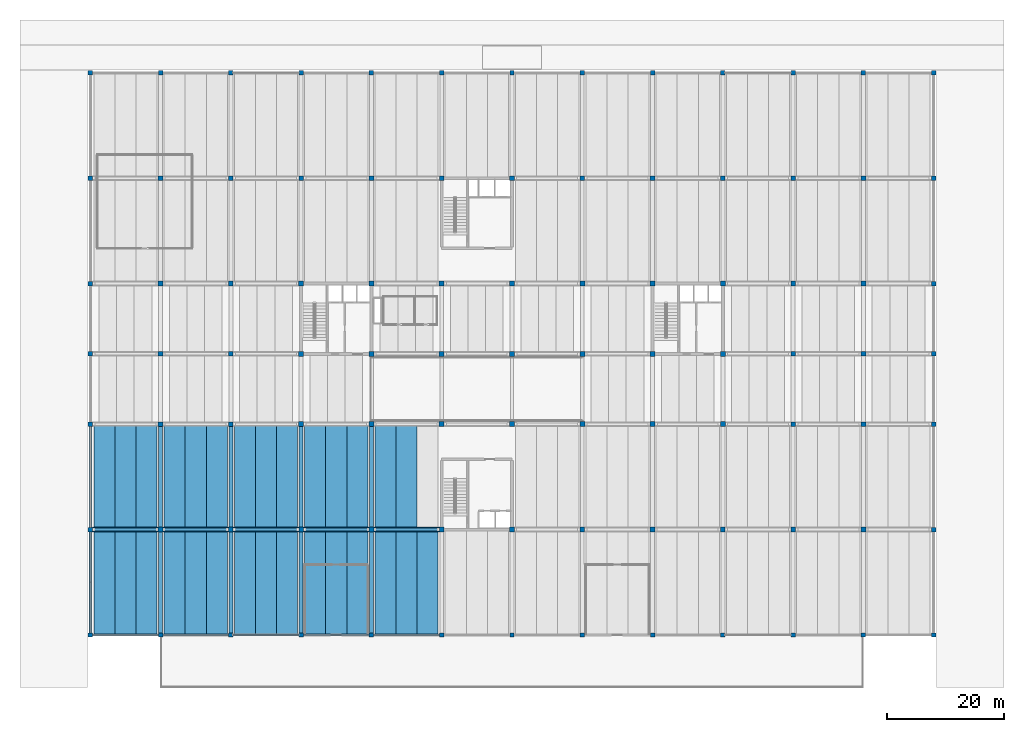
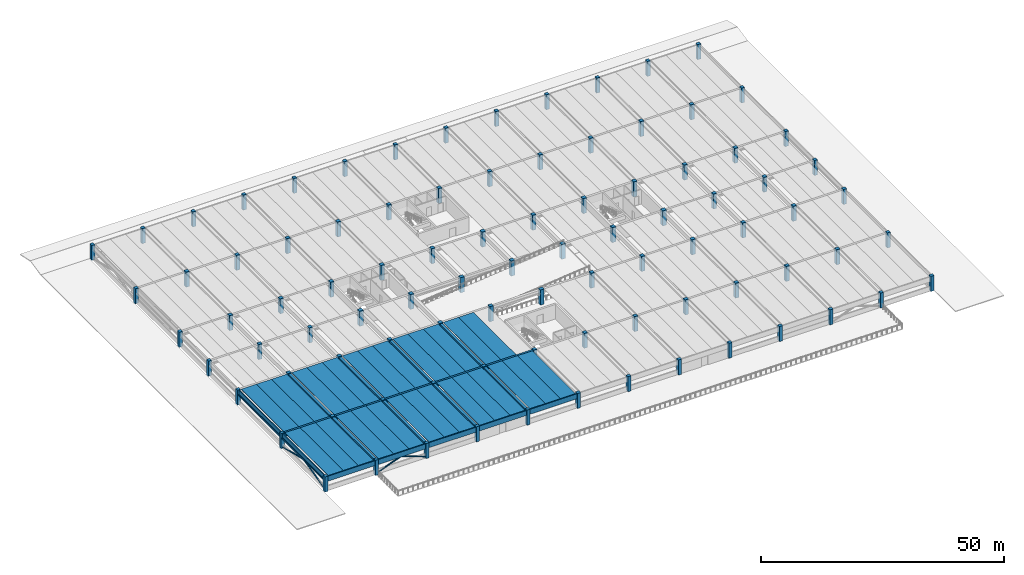
# One storey, part 1 of 16: 91 columns, 49 beams, 4 members.
"""IFC4 building model written with IfcOpenShell, lengths in metres."""

from ifc_helpers import new_model, si_unit, direction, frame, origin, origin_2d, place, context, subcontext, project, spatial, polyline, rectangle, hollow_rectangle, outline, extrude, material, material_profile, profile_set, type_object, element, save


model = new_model("IFC4")

# Units and contexts
model_context = context("Model", 3, precision=1e-05, world=origin(), true_north=direction((0.0, 1.0)))
body_context = subcontext(model_context, "Body", "Model", "MODEL_VIEW")
ifc_project = project(units=[si_unit("LENGTHUNIT", "METRE"), si_unit("AREAUNIT", "SQUARE_METRE"), si_unit("VOLUMEUNIT", "CUBIC_METRE"), si_unit("PLANEANGLEUNIT", "RADIAN"), si_unit("MASSUNIT", "GRAM", prefix="KILO")], contexts=[model_context])

# Site, building, storey
site_placement = place(None, origin())
site = spatial("IfcSite", under=ifc_project, at=site_placement, CompositionType="ELEMENT")
building_placement = place(site_placement, origin())
building = spatial("IfcBuilding", under=site, at=building_placement, Name="Girod Span Mobility Hub", CompositionType="ELEMENT")
storey_placement = place(building_placement, frame((0.0, 0.0, 21.0)))
storey = spatial("IfcBuildingStorey", under=building, at=storey_placement, Name="L05", CompositionType="ELEMENT", Elevation=21.0)

# Columns
ifc_material_1 = material(Name="Concrete C40/50", Category="concrete")
ifc_material_profile_1 = material_profile(ifc_material_1, rectangle(XDim=0.75, YDim=0.75, at=origin_2d()), Name="PC-COL-750X750")
ifc_profile_set_1 = profile_set([ifc_material_profile_1], Name="Concrete C40/50")
column_type_1 = type_object("IfcColumnType", Name="COL-PC-750X750", PredefinedType="COLUMN", material=ifc_profile_set_1)
for number, where, z_axis, x_axis, name in (
    (1, (12.0, 9.0, 0.0), (0.0, 0.0, 1.0), (1.0, 0.0, 0.0), "Column 2B L05"),
    (2, (12.0, 27.0, 0.0), (0.0, 0.0, 1.0), (1.0, 0.0, 0.0), "Column 2C L05"),
    (3, (12.0, 45.0, 0.0), (0.0, 0.0, 1.0), (1.0, 0.0, 0.0), "Column 2D L05"),
    (4, (12.0, 57.0, 0.0), (0.0, 0.0, 1.0), (1.0, 0.0, 0.0), "Column 2E L05"),
    (5, (12.0, 69.0, 0.0), (0.0, 0.0, 1.0), (1.0, 0.0, 0.0), "Column 2F L05"),
    (6, (12.0, 87.0, 0.0), (0.0, 0.0, 1.0), (1.0, 0.0, 0.0), "Column 2G L05"),
    (7, (12.0, 105.0, 0.0), (0.0, 0.0, 1.0), (1.0, 0.0, 0.0), "Column 2H L05"),
    (8, (24.0, 9.0, 0.0), (0.0, 0.0, 1.0), (1.0, 0.0, 0.0), "Column 3B L05"),
    (9, (24.0, 105.0, 0.0), (0.0, 0.0, 1.0), (1.0, 0.0, 0.0), "Column 3H L05"),
    (10, (36.0, 9.0, 0.0), (0.0, 0.0, 1.0), (1.0, 0.0, 0.0), "Column 4B L05"),
    (11, (36.0, 105.0, 0.0), (0.0, 0.0, 1.0), (1.0, 0.0, 0.0), "Column 4H L05"),
    (12, (48.0, 9.0, 0.0), (0.0, 0.0, 1.0), (1.0, 0.0, 0.0), "Column 5B L05"),
    (13, (48.0, 105.0, 0.0), (0.0, 0.0, 1.0), (1.0, 0.0, 0.0), "Column 5H L05"),
    (14, (60.0, 9.0, 0.0), (0.0, 0.0, 1.0), (1.0, 0.0, 0.0), "Column 6B L05"),
    (15, (60.0, 105.0, 0.0), (0.0, 0.0, 1.0), (1.0, 0.0, 0.0), "Column 6H L05"),
    (16, (72.0, 9.0, 0.0), (0.0, 0.0, 1.0), (1.0, 0.0, 0.0), "Column 7B L05"),
    (17, (72.0, 105.0, 0.0), (0.0, 0.0, 1.0), (1.0, 0.0, 0.0), "Column 7H L05"),
    (18, (84.0, 9.0, 0.0), (0.0, 0.0, 1.0), (1.0, 0.0, 0.0), "Column 8B L05"),
    (19, (84.0, 105.0, 0.0), (0.0, 0.0, 1.0), (1.0, 0.0, 0.0), "Column 8H L05"),
    (20, (96.0, 9.0, 0.0), (0.0, 0.0, 1.0), (1.0, 0.0, 0.0), "Column 9B L05"),
    (21, (96.0, 105.0, 0.0), (0.0, 0.0, 1.0), (1.0, 0.0, 0.0), "Column 9H L05"),
    (22, (108.0, 9.0, 0.0), (0.0, 0.0, 1.0), (1.0, 0.0, 0.0), "Column 10B L05"),
    (23, (108.0, 105.0, 0.0), (0.0, 0.0, 1.0), (1.0, 0.0, 0.0), "Column 10H L05"),
    (24, (120.0, 9.0, 0.0), (0.0, 0.0, 1.0), (1.0, 0.0, 0.0), "Column 11B L05"),
    (25, (120.0, 105.0, 0.0), (0.0, 0.0, 1.0), (1.0, 0.0, 0.0), "Column 11H L05"),
    (26, (132.0, 9.0, 0.0), (0.0, 0.0, 1.0), (1.0, 0.0, 0.0), "Column 12B L05"),
    (27, (132.0, 105.0, 0.0), (0.0, 0.0, 1.0), (1.0, 0.0, 0.0), "Column 12H L05"),
    (28, (144.0, 9.0, 0.0), (0.0, 0.0, 1.0), (1.0, 0.0, 0.0), "Column 13B L05"),
    (29, (144.0, 105.0, 0.0), (0.0, 0.0, 1.0), (1.0, 0.0, 0.0), "Column 13H L05"),
    (30, (156.0, 9.0, 0.0), (0.0, 0.0, 1.0), (1.0, 0.0, 0.0), "Column 14B L05"),
    (31, (156.0, 27.0, 0.0), (0.0, 0.0, 1.0), (1.0, 0.0, 0.0), "Column 14C L05"),
    (32, (156.0, 45.0, 0.0), (0.0, 0.0, 1.0), (1.0, 0.0, 0.0), "Column 14D L05"),
    (33, (156.0, 57.0, 0.0), (0.0, 0.0, 1.0), (1.0, 0.0, 0.0), "Column 14E L05"),
    (34, (156.0, 69.0, 0.0), (0.0, 0.0, 1.0), (1.0, 0.0, 0.0), "Column 14F L05"),
    (35, (156.0, 87.0, 0.0), (0.0, 0.0, 1.0), (1.0, 0.0, 0.0), "Column 14G L05"),
    (36, (156.0, 105.0, 0.0), (0.0, 0.0, 1.0), (1.0, 0.0, 0.0), "Column 14H L05"),
):
    element("IfcColumn", number, at=place(storey_placement, frame(where, z_axis=z_axis, x_axis=x_axis)), inside=storey, type_object=column_type_1, Name=name, PredefinedType="COLUMN", context=body_context, shape_type="SweptSolid", body=[
        extrude(rectangle(XDim=0.75, YDim=0.75, at=origin_2d()), origin(), (0.0, 0.0, 1.0), 3.800048828125),
    ])
ifc_material_2 = material(Name="Concrete C40/50", Category="concrete")
ifc_material_profile_2 = material_profile(ifc_material_2, rectangle(XDim=0.800048828125, YDim=0.800048828125, at=origin_2d()), Name="PC-COL-800X800")
ifc_profile_set_2 = profile_set([ifc_material_profile_2], Name="Concrete C40/50")
column_type_2 = type_object("IfcColumnType", Name="COL-PC-800X800", PredefinedType="COLUMN", material=ifc_profile_set_2)
for number, where, z_axis, x_axis, name in (
    (37, (24.0, 27.0, 0.0), (0.0, 0.0, 1.0), (1.0, 0.0, 0.0), "Column 3C L05"),
    (38, (24.0, 45.0, 0.0), (0.0, 0.0, 1.0), (1.0, 0.0, 0.0), "Column 3D L05"),
    (39, (24.0, 57.0, 0.0), (0.0, 0.0, 1.0), (1.0, 0.0, 0.0), "Column 3E L05"),
    (40, (24.0, 69.0, 0.0), (0.0, 0.0, 1.0), (1.0, 0.0, 0.0), "Column 3F L05"),
    (41, (24.0, 87.0, 0.0), (0.0, 0.0, 1.0), (1.0, 0.0, 0.0), "Column 3G L05"),
    (42, (36.0, 27.0, 0.0), (0.0, 0.0, 1.0), (1.0, 0.0, 0.0), "Column 4C L05"),
    (43, (36.0, 45.0, 0.0), (0.0, 0.0, 1.0), (1.0, 0.0, 0.0), "Column 4D L05"),
    (44, (36.0, 57.0, 0.0), (0.0, 0.0, 1.0), (1.0, 0.0, 0.0), "Column 4E L05"),
    (45, (36.0, 69.0, 0.0), (0.0, 0.0, 1.0), (1.0, 0.0, 0.0), "Column 4F L05"),
    (46, (36.0, 87.0, 0.0), (0.0, 0.0, 1.0), (1.0, 0.0, 0.0), "Column 4G L05"),
    (47, (48.0, 27.0, 0.0), (0.0, 0.0, 1.0), (1.0, 0.0, 0.0), "Column 5C L05"),
    (48, (48.0, 87.0, 0.0), (0.0, 0.0, 1.0), (1.0, 0.0, 0.0), "Column 5G L05"),
    (49, (60.0, 27.0, 0.0), (0.0, 0.0, 1.0), (1.0, 0.0, 0.0), "Column 6C L05"),
    (50, (60.0, 87.0, 0.0), (0.0, 0.0, 1.0), (1.0, 0.0, 0.0), "Column 6G L05"),
    (51, (72.0, 27.0, 0.0), (0.0, 0.0, 1.0), (1.0, 0.0, 0.0), "Column 7C L05"),
    (52, (72.0, 87.0, 0.0), (0.0, 0.0, 1.0), (1.0, 0.0, 0.0), "Column 7G L05"),
    (53, (84.0, 27.0, 0.0), (0.0, 0.0, 1.0), (1.0, 0.0, 0.0), "Column 8C L05"),
    (54, (84.0, 87.0, 0.0), (0.0, 0.0, 1.0), (1.0, 0.0, 0.0), "Column 8G L05"),
    (55, (96.0, 27.0, 0.0), (0.0, 0.0, 1.0), (1.0, 0.0, 0.0), "Column 9C L05"),
    (56, (96.0, 87.0, 0.0), (0.0, 0.0, 1.0), (1.0, 0.0, 0.0), "Column 9G L05"),
    (57, (108.0, 27.0, 0.0), (0.0, 0.0, 1.0), (1.0, 0.0, 0.0), "Column 10C L05"),
    (58, (108.0, 87.0, 0.0), (0.0, 0.0, 1.0), (1.0, 0.0, 0.0), "Column 10G L05"),
    (59, (120.0, 27.0, 0.0), (0.0, 0.0, 1.0), (1.0, 0.0, 0.0), "Column 11C L05"),
    (60, (120.0, 87.0, 0.0), (0.0, 0.0, 1.0), (1.0, 0.0, 0.0), "Column 11G L05"),
    (61, (132.0, 27.0, 0.0), (0.0, 0.0, 1.0), (1.0, 0.0, 0.0), "Column 12C L05"),
    (62, (132.0, 45.0, 0.0), (0.0, 0.0, 1.0), (1.0, 0.0, 0.0), "Column 12D L05"),
    (63, (132.0, 57.0, 0.0), (0.0, 0.0, 1.0), (1.0, 0.0, 0.0), "Column 12E L05"),
    (64, (132.0, 69.0, 0.0), (0.0, 0.0, 1.0), (1.0, 0.0, 0.0), "Column 12F L05"),
    (65, (132.0, 87.0, 0.0), (0.0, 0.0, 1.0), (1.0, 0.0, 0.0), "Column 12G L05"),
    (66, (144.0, 27.0, 0.0), (0.0, 0.0, 1.0), (1.0, 0.0, 0.0), "Column 13C L05"),
    (67, (144.0, 45.0, 0.0), (0.0, 0.0, 1.0), (1.0, 0.0, 0.0), "Column 13D L05"),
    (68, (144.0, 57.0, 0.0), (0.0, 0.0, 1.0), (1.0, 0.0, 0.0), "Column 13E L05"),
    (69, (144.0, 69.0, 0.0), (0.0, 0.0, 1.0), (1.0, 0.0, 0.0), "Column 13F L05"),
    (70, (144.0, 87.0, 0.0), (0.0, 0.0, 1.0), (1.0, 0.0, 0.0), "Column 13G L05"),
):
    element("IfcColumn", number, at=place(storey_placement, frame(where, z_axis=z_axis, x_axis=x_axis)), inside=storey, type_object=column_type_2, Name=name, PredefinedType="COLUMN", context=body_context, shape_type="SweptSolid", body=[
        extrude(rectangle(XDim=0.800048828125, YDim=0.800048828125, at=origin_2d()), origin(), (0.0, 0.0, 1.0), 3.800048828125),
    ])
ifc_material_3 = material(Name="Concrete C40/50", Category="concrete")
ifc_material_profile_3 = material_profile(ifc_material_3, rectangle(XDim=0.85009765625, YDim=0.85009765625, at=origin_2d()), Name="PC-COL-850X850")
ifc_profile_set_3 = profile_set([ifc_material_profile_3], Name="Concrete C40/50")
column_type_3 = type_object("IfcColumnType", Name="COL-PC-850X850", PredefinedType="COLUMN", material=ifc_profile_set_3)
for number, where, z_axis, x_axis, name in (
    (71, (48.0, 45.0, 0.0), (0.0, 0.0, 1.0), (1.0, 0.0, 0.0), "Column 5D L05"),
    (72, (48.0, 57.0, 0.0), (0.0, 0.0, 1.0), (1.0, 0.0, 0.0), "Column 5E L05"),
    (73, (48.0, 69.0, 0.0), (0.0, 0.0, 1.0), (1.0, 0.0, 0.0), "Column 5F L05"),
    (74, (60.0, 45.0, 0.0), (0.0, 0.0, 1.0), (1.0, 0.0, 0.0), "Column 6D L05"),
    (75, (60.0, 57.0, 0.0), (0.0, 0.0, 1.0), (1.0, 0.0, 0.0), "Column 6E L05"),
    (76, (60.0, 69.0, 0.0), (0.0, 0.0, 1.0), (1.0, 0.0, 0.0), "Column 6F L05"),
    (77, (72.0, 45.0, 0.0), (0.0, 0.0, 1.0), (1.0, 0.0, 0.0), "Column 7D L05"),
    (78, (72.0, 57.0, 0.0), (0.0, 0.0, 1.0), (1.0, 0.0, 0.0), "Column 7E L05"),
    (79, (72.0, 69.0, 0.0), (0.0, 0.0, 1.0), (1.0, 0.0, 0.0), "Column 7F L05"),
    (80, (84.0, 45.0, 0.0), (0.0, 0.0, 1.0), (1.0, 0.0, 0.0), "Column 8D L05"),
    (81, (84.0, 57.0, 0.0), (0.0, 0.0, 1.0), (1.0, 0.0, 0.0), "Column 8E L05"),
    (82, (84.0, 69.0, 0.0), (0.0, 0.0, 1.0), (1.0, 0.0, 0.0), "Column 8F L05"),
    (83, (96.0, 45.0, 0.0), (0.0, 0.0, 1.0), (1.0, 0.0, 0.0), "Column 9D L05"),
    (84, (96.0, 57.0, 0.0), (0.0, 0.0, 1.0), (1.0, 0.0, 0.0), "Column 9E L05"),
    (85, (96.0, 69.0, 0.0), (0.0, 0.0, 1.0), (1.0, 0.0, 0.0), "Column 9F L05"),
    (86, (108.0, 45.0, 0.0), (0.0, 0.0, 1.0), (1.0, 0.0, 0.0), "Column 10D L05"),
    (87, (108.0, 57.0, 0.0), (0.0, 0.0, 1.0), (1.0, 0.0, 0.0), "Column 10E L05"),
    (88, (108.0, 69.0, 0.0), (0.0, 0.0, 1.0), (1.0, 0.0, 0.0), "Column 10F L05"),
    (89, (120.0, 45.0, 0.0), (0.0, 0.0, 1.0), (1.0, 0.0, 0.0), "Column 11D L05"),
    (90, (120.0, 57.0, 0.0), (0.0, 0.0, 1.0), (1.0, 0.0, 0.0), "Column 11E L05"),
    (91, (120.0, 69.0, 0.0), (0.0, 0.0, 1.0), (1.0, 0.0, 0.0), "Column 11F L05"),
):
    element("IfcColumn", number, at=place(storey_placement, frame(where, z_axis=z_axis, x_axis=x_axis)), inside=storey, type_object=column_type_3, Name=name, PredefinedType="COLUMN", context=body_context, shape_type="SweptSolid", body=[
        extrude(rectangle(XDim=0.85009765625, YDim=0.85009765625, at=origin_2d()), origin(), (0.0, 0.0, 1.0), 3.800048828125),
    ])

# Beams
ifc_material_4 = material(Name="Concrete C50/60", Category="concrete")
ifc_material_profile_4 = material_profile(ifc_material_4, outline(polyline([(-1.800048828125, 0.425048828125), (-1.800048828125, 0.324951171875), (-1.0, 0.324951171875), (-0.969970703125, -0.425048828125), (-0.830078125, -0.425048828125), (-0.800048828125, 0.324951171875), (0.800048828125, 0.324951171875), (0.830078125, -0.425048828125), (0.969970703125, -0.425048828125), (1.0, 0.324951171875), (1.800048828125, 0.324951171875), (1.800048828125, 0.425048828125), (-1.800048828125, 0.425048828125)])), Name="DT-3600X850")
ifc_profile_set_4 = profile_set([ifc_material_profile_4], Name="Concrete C50/60")
beam_type_1 = type_object("IfcBeamType", Name="BM-DT-3600X850", PredefinedType="JOIST", material=ifc_profile_set_4)
for number, where, z_axis, x_axis, name in (
    (92, (14.39990234375, 9.01708984375, 3.2099609375), (0.0, 1.0, 0.0), (-1.0, 0.0, 0.0), "Double-Tee Deck 2/B-1 L05"),
    (93, (18.0, 9.01708984375, 3.2099609375), (0.0, 1.0, 0.0), (-1.0, 0.0, 0.0), "Double-Tee Deck 2/B-2 L05"),
    (94, (21.60009765625, 9.01708984375, 3.2099609375), (0.0, 1.0, 0.0), (-1.0, 0.0, 0.0), "Double-Tee Deck 2/B-3 L05"),
):
    element("IfcBeam", number, at=place(storey_placement, frame(where, z_axis=z_axis, x_axis=x_axis)), inside=storey, type_object=beam_type_1, Name=name, PredefinedType="JOIST", context=body_context, shape_type="SweptSolid", body=[
        extrude(outline(polyline([(-1.800048828125, 0.425048828125), (-1.800048828125, 0.324951171875), (-1.0, 0.324951171875), (-0.969970703125, -0.425048828125), (-0.830078125, -0.425048828125), (-0.800048828125, 0.324951171875), (0.800048828125, 0.324951171875), (0.830078125, -0.425048828125), (0.969970703125, -0.425048828125), (1.0, 0.324951171875), (1.800048828125, 0.324951171875), (1.800048828125, 0.425048828125), (-1.800048828125, 0.425048828125)])), origin(), (0.0, 0.0, 1.0), 17.755859375),
    ])
for number, where, z_axis, x_axis, name in (
    (95, (14.39990234375, 27.22705078125, 3.2099609375), (0.0, 1.0, 0.0), (-1.0, 0.0, 0.0), "Double-Tee Deck 2/C-1 L05"),
    (96, (18.0, 27.22705078125, 3.2099609375), (0.0, 1.0, 0.0), (-1.0, 0.0, 0.0), "Double-Tee Deck 2/C-2 L05"),
    (97, (21.60009765625, 27.22705078125, 3.2099609375), (0.0, 1.0, 0.0), (-1.0, 0.0, 0.0), "Double-Tee Deck 2/C-3 L05"),
):
    element("IfcBeam", number, at=place(storey_placement, frame(where, z_axis=z_axis, x_axis=x_axis)), inside=storey, type_object=beam_type_1, Name=name, PredefinedType="JOIST", context=body_context, shape_type="SweptSolid", body=[
        extrude(outline(polyline([(-1.800048828125, 0.425048828125), (-1.800048828125, 0.324951171875), (-1.0, 0.324951171875), (-0.969970703125, -0.425048828125), (-0.830078125, -0.425048828125), (-0.800048828125, 0.324951171875), (0.800048828125, 0.324951171875), (0.830078125, -0.425048828125), (0.969970703125, -0.425048828125), (1.0, 0.324951171875), (1.800048828125, 0.324951171875), (1.800048828125, 0.425048828125), (-1.800048828125, 0.425048828125)])), origin(), (0.0, 0.0, 1.0), 17.5458984375),
    ])
for number, where, z_axis, x_axis, name in (
    (98, (26.39990234375, 9.01708984375, 3.2099609375), (0.0, 1.0, 0.0), (-1.0, 0.0, 0.0), "Double-Tee Deck 3/B-1 L05"),
    (99, (30.0, 9.01708984375, 3.2099609375), (0.0, 1.0, 0.0), (-1.0, 0.0, 0.0), "Double-Tee Deck 3/B-2 L05"),
    (100, (33.60009765625, 9.01708984375, 3.2099609375), (0.0, 1.0, 0.0), (-1.0, 0.0, 0.0), "Double-Tee Deck 3/B-3 L05"),
):
    element("IfcBeam", number, at=place(storey_placement, frame(where, z_axis=z_axis, x_axis=x_axis)), inside=storey, type_object=beam_type_1, Name=name, PredefinedType="JOIST", context=body_context, shape_type="SweptSolid", body=[
        extrude(outline(polyline([(-1.800048828125, 0.425048828125), (-1.800048828125, 0.324951171875), (-1.0, 0.324951171875), (-0.969970703125, -0.425048828125), (-0.830078125, -0.425048828125), (-0.800048828125, 0.324951171875), (0.800048828125, 0.324951171875), (0.830078125, -0.425048828125), (0.969970703125, -0.425048828125), (1.0, 0.324951171875), (1.800048828125, 0.324951171875), (1.800048828125, 0.425048828125), (-1.800048828125, 0.425048828125)])), origin(), (0.0, 0.0, 1.0), 17.755859375),
    ])
for number, where, z_axis, x_axis, name in (
    (101, (26.39990234375, 27.22705078125, 3.2099609375), (0.0, 1.0, 0.0), (-1.0, 0.0, 0.0), "Double-Tee Deck 3/C-1 L05"),
    (102, (30.0, 27.22705078125, 3.2099609375), (0.0, 1.0, 0.0), (-1.0, 0.0, 0.0), "Double-Tee Deck 3/C-2 L05"),
    (103, (33.60009765625, 27.22705078125, 3.2099609375), (0.0, 1.0, 0.0), (-1.0, 0.0, 0.0), "Double-Tee Deck 3/C-3 L05"),
):
    element("IfcBeam", number, at=place(storey_placement, frame(where, z_axis=z_axis, x_axis=x_axis)), inside=storey, type_object=beam_type_1, Name=name, PredefinedType="JOIST", context=body_context, shape_type="SweptSolid", body=[
        extrude(outline(polyline([(-1.800048828125, 0.425048828125), (-1.800048828125, 0.324951171875), (-1.0, 0.324951171875), (-0.969970703125, -0.425048828125), (-0.830078125, -0.425048828125), (-0.800048828125, 0.324951171875), (0.800048828125, 0.324951171875), (0.830078125, -0.425048828125), (0.969970703125, -0.425048828125), (1.0, 0.324951171875), (1.800048828125, 0.324951171875), (1.800048828125, 0.425048828125), (-1.800048828125, 0.425048828125)])), origin(), (0.0, 0.0, 1.0), 17.5458984375),
    ])
for number, where, z_axis, x_axis, name in (
    (104, (38.39990234375, 9.01708984375, 3.2099609375), (0.0, 1.0, 0.0), (-1.0, 0.0, 0.0), "Double-Tee Deck 4/B-1 L05"),
    (105, (42.0, 9.01708984375, 3.2099609375), (0.0, 1.0, 0.0), (-1.0, 0.0, 0.0), "Double-Tee Deck 4/B-2 L05"),
    (106, (45.60009765625, 9.01708984375, 3.2099609375), (0.0, 1.0, 0.0), (-1.0, 0.0, 0.0), "Double-Tee Deck 4/B-3 L05"),
):
    element("IfcBeam", number, at=place(storey_placement, frame(where, z_axis=z_axis, x_axis=x_axis)), inside=storey, type_object=beam_type_1, Name=name, PredefinedType="JOIST", context=body_context, shape_type="SweptSolid", body=[
        extrude(outline(polyline([(-1.800048828125, 0.425048828125), (-1.800048828125, 0.324951171875), (-1.0, 0.324951171875), (-0.969970703125, -0.425048828125), (-0.830078125, -0.425048828125), (-0.800048828125, 0.324951171875), (0.800048828125, 0.324951171875), (0.830078125, -0.425048828125), (0.969970703125, -0.425048828125), (1.0, 0.324951171875), (1.800048828125, 0.324951171875), (1.800048828125, 0.425048828125), (-1.800048828125, 0.425048828125)])), origin(), (0.0, 0.0, 1.0), 17.755859375),
    ])
for number, where, z_axis, x_axis, name in (
    (107, (38.39990234375, 27.22705078125, 3.2099609375), (0.0, 1.0, 0.0), (-1.0, 0.0, 0.0), "Double-Tee Deck 4/C-1 L05"),
    (108, (42.0, 27.22705078125, 3.2099609375), (0.0, 1.0, 0.0), (-1.0, 0.0, 0.0), "Double-Tee Deck 4/C-2 L05"),
    (109, (45.60009765625, 27.22705078125, 3.2099609375), (0.0, 1.0, 0.0), (-1.0, 0.0, 0.0), "Double-Tee Deck 4/C-3 L05"),
):
    element("IfcBeam", number, at=place(storey_placement, frame(where, z_axis=z_axis, x_axis=x_axis)), inside=storey, type_object=beam_type_1, Name=name, PredefinedType="JOIST", context=body_context, shape_type="SweptSolid", body=[
        extrude(outline(polyline([(-1.800048828125, 0.425048828125), (-1.800048828125, 0.324951171875), (-1.0, 0.324951171875), (-0.969970703125, -0.425048828125), (-0.830078125, -0.425048828125), (-0.800048828125, 0.324951171875), (0.800048828125, 0.324951171875), (0.830078125, -0.425048828125), (0.969970703125, -0.425048828125), (1.0, 0.324951171875), (1.800048828125, 0.324951171875), (1.800048828125, 0.425048828125), (-1.800048828125, 0.425048828125)])), origin(), (0.0, 0.0, 1.0), 17.5458984375),
    ])
for number, where, z_axis, x_axis, name in (
    (110, (50.39990234375, 9.01708984375, 3.2099609375), (0.0, 1.0, 0.0), (-1.0, 0.0, 0.0), "Double-Tee Deck 5/B-1 L05"),
    (111, (54.0, 9.01708984375, 3.2099609375), (0.0, 1.0, 0.0), (-1.0, 0.0, 0.0), "Double-Tee Deck 5/B-2 L05"),
    (112, (57.60009765625, 9.01708984375, 3.2099609375), (0.0, 1.0, 0.0), (-1.0, 0.0, 0.0), "Double-Tee Deck 5/B-3 L05"),
):
    element("IfcBeam", number, at=place(storey_placement, frame(where, z_axis=z_axis, x_axis=x_axis)), inside=storey, type_object=beam_type_1, Name=name, PredefinedType="JOIST", context=body_context, shape_type="SweptSolid", body=[
        extrude(outline(polyline([(-1.800048828125, 0.425048828125), (-1.800048828125, 0.324951171875), (-1.0, 0.324951171875), (-0.969970703125, -0.425048828125), (-0.830078125, -0.425048828125), (-0.800048828125, 0.324951171875), (0.800048828125, 0.324951171875), (0.830078125, -0.425048828125), (0.969970703125, -0.425048828125), (1.0, 0.324951171875), (1.800048828125, 0.324951171875), (1.800048828125, 0.425048828125), (-1.800048828125, 0.425048828125)])), origin(), (0.0, 0.0, 1.0), 17.755859375),
    ])
for number, where, z_axis, x_axis, name in (
    (113, (50.39990234375, 27.22705078125, 3.2099609375), (0.0, 1.0, 0.0), (-1.0, 0.0, 0.0), "Double-Tee Deck 5/C-1 L05"),
    (114, (54.0, 27.22705078125, 3.2099609375), (0.0, 1.0, 0.0), (-1.0, 0.0, 0.0), "Double-Tee Deck 5/C-2 L05"),
    (115, (57.60009765625, 27.22705078125, 3.2099609375), (0.0, 1.0, 0.0), (-1.0, 0.0, 0.0), "Double-Tee Deck 5/C-3 L05"),
):
    element("IfcBeam", number, at=place(storey_placement, frame(where, z_axis=z_axis, x_axis=x_axis)), inside=storey, type_object=beam_type_1, Name=name, PredefinedType="JOIST", context=body_context, shape_type="SweptSolid", body=[
        extrude(outline(polyline([(-1.800048828125, 0.425048828125), (-1.800048828125, 0.324951171875), (-1.0, 0.324951171875), (-0.969970703125, -0.425048828125), (-0.830078125, -0.425048828125), (-0.800048828125, 0.324951171875), (0.800048828125, 0.324951171875), (0.830078125, -0.425048828125), (0.969970703125, -0.425048828125), (1.0, 0.324951171875), (1.800048828125, 0.324951171875), (1.800048828125, 0.425048828125), (-1.800048828125, 0.425048828125)])), origin(), (0.0, 0.0, 1.0), 17.5458984375),
    ])
for number, where, z_axis, x_axis, name in (
    (116, (62.39990234375, 9.01708984375, 3.2099609375), (0.0, 1.0, 0.0), (-1.0, 0.0, 0.0), "Double-Tee Deck 6/B-1 L05"),
    (117, (66.0, 9.01708984375, 3.2099609375), (0.0, 1.0, 0.0), (-1.0, 0.0, 0.0), "Double-Tee Deck 6/B-2 L05"),
    (118, (69.60009765625, 9.01708984375, 3.2099609375), (0.0, 1.0, 0.0), (-1.0, 0.0, 0.0), "Double-Tee Deck 6/B-3 L05"),
):
    element("IfcBeam", number, at=place(storey_placement, frame(where, z_axis=z_axis, x_axis=x_axis)), inside=storey, type_object=beam_type_1, Name=name, PredefinedType="JOIST", context=body_context, shape_type="SweptSolid", body=[
        extrude(outline(polyline([(-1.800048828125, 0.425048828125), (-1.800048828125, 0.324951171875), (-1.0, 0.324951171875), (-0.969970703125, -0.425048828125), (-0.830078125, -0.425048828125), (-0.800048828125, 0.324951171875), (0.800048828125, 0.324951171875), (0.830078125, -0.425048828125), (0.969970703125, -0.425048828125), (1.0, 0.324951171875), (1.800048828125, 0.324951171875), (1.800048828125, 0.425048828125), (-1.800048828125, 0.425048828125)])), origin(), (0.0, 0.0, 1.0), 17.755859375),
    ])
for number, where, z_axis, x_axis, name in (
    (119, (62.39990234375, 27.22705078125, 3.2099609375), (0.0, 1.0, 0.0), (-1.0, 0.0, 0.0), "Double-Tee Deck 6/C-1 L05"),
    (120, (66.0, 27.22705078125, 3.2099609375), (0.0, 1.0, 0.0), (-1.0, 0.0, 0.0), "Double-Tee Deck 6/C-2 L05"),
):
    element("IfcBeam", number, at=place(storey_placement, frame(where, z_axis=z_axis, x_axis=x_axis)), inside=storey, type_object=beam_type_1, Name=name, PredefinedType="JOIST", context=body_context, shape_type="SweptSolid", body=[
        extrude(outline(polyline([(-1.800048828125, 0.425048828125), (-1.800048828125, 0.324951171875), (-1.0, 0.324951171875), (-0.969970703125, -0.425048828125), (-0.830078125, -0.425048828125), (-0.800048828125, 0.324951171875), (0.800048828125, 0.324951171875), (0.830078125, -0.425048828125), (0.969970703125, -0.425048828125), (1.0, 0.324951171875), (1.800048828125, 0.324951171875), (1.800048828125, 0.425048828125), (-1.800048828125, 0.425048828125)])), origin(), (0.0, 0.0, 1.0), 17.5458984375),
    ])
ifc_material_5 = material(Name="Concrete C50/60", Category="concrete")
ifc_material_profile_5 = material_profile(ifc_material_5, outline(polyline([(-0.39990234375, -0.449951171875), (0.39990234375, -0.449951171875), (0.39990234375, -0.14990234375), (0.22998046875, -0.14990234375), (0.22998046875, 0.449951171875), (-0.22998046875, 0.449951171875), (-0.22998046875, -0.14990234375), (-0.39990234375, -0.14990234375), (-0.39990234375, -0.449951171875)])), Name="IT-800X900")
ifc_profile_set_5 = profile_set([ifc_material_profile_5], Name="Concrete C50/60")
beam_type_2 = type_object("IfcBeamType", Name="BM-IT-800X900", PredefinedType="T_BEAM", material=ifc_profile_set_5)
beam_1_placement = place(storey_placement, frame((12.3720703125, 27.0, 3.18505859375), z_axis=(1.0, 0.0, 0.0), x_axis=(0.0, 1.0, 0.0)))
element("IfcBeam", 121, at=beam_1_placement, inside=storey, type_object=beam_type_2, Name="Girder 2-3/C L05", PredefinedType="T_BEAM", context=body_context, shape_type="SweptSolid", body=[
    extrude(outline(polyline([(-0.39990234375, -0.449951171875), (0.39990234375, -0.449951171875), (0.39990234375, -0.14990234375), (0.22998046875, -0.14990234375), (0.22998046875, 0.449951171875), (-0.22998046875, 0.449951171875), (-0.22998046875, -0.14990234375), (-0.39990234375, -0.14990234375), (-0.39990234375, -0.449951171875)])), origin(), (0.0, 0.0, 1.0), 11.23095703125),
])
for number, where, z_axis, x_axis, name in (
    (122, (24.39697265625, 27.0, 3.18505859375), (1.0, 0.0, 0.0), (0.0, 1.0, 0.0), "Girder 3-4/C L05"),
    (123, (36.39697265625, 27.0, 3.18505859375), (1.0, 0.0, 0.0), (0.0, 1.0, 0.0), "Girder 4-5/C L05"),
    (124, (48.39697265625, 27.0, 3.18505859375), (1.0, 0.0, 0.0), (0.0, 1.0, 0.0), "Girder 5-6/C L05"),
    (125, (60.39697265625, 27.0, 3.18505859375), (1.0, 0.0, 0.0), (0.0, 1.0, 0.0), "Girder 6-7/C L05"),
):
    element("IfcBeam", number, at=place(storey_placement, frame(where, z_axis=z_axis, x_axis=x_axis)), inside=storey, type_object=beam_type_2, Name=name, PredefinedType="T_BEAM", context=body_context, shape_type="SweptSolid", body=[
        extrude(outline(polyline([(-0.39990234375, -0.449951171875), (0.39990234375, -0.449951171875), (0.39990234375, -0.14990234375), (0.22998046875, -0.14990234375), (0.22998046875, 0.449951171875), (-0.22998046875, 0.449951171875), (-0.22998046875, -0.14990234375), (-0.39990234375, -0.14990234375), (-0.39990234375, -0.449951171875)])), origin(), (0.0, 0.0, 1.0), 11.2060546875),
    ])
ifc_material_6 = material(Name="Concrete C40/50", Category="concrete")
ifc_material_profile_6 = material_profile(ifc_material_6, outline(polyline([(-0.199951171875, -0.625), (0.199951171875, -0.625), (0.199951171875, -0.304931640625), (0.02001953125, -0.304931640625), (0.02001953125, 0.625), (-0.199951171875, 0.625), (-0.199951171875, -0.625)])), Name="SP-400X1250")
ifc_profile_set_6 = profile_set([ifc_material_profile_6], Name="Concrete C40/50")
beam_type_3 = type_object("IfcBeamType", Name="BM-SP-400X1250", PredefinedType="SPANDREL", material=ifc_profile_set_6)
for number, where, z_axis, x_axis, name in (
    (126, (12.3720703125, 9.0, 3.010009765625), (1.0, 0.0, 0.0), (0.0, 1.0, 0.0), "Girder 2-3/B L05"),
    (127, (24.3720703125, 9.0, 3.010009765625), (1.0, 0.0, 0.0), (0.0, 1.0, 0.0), "Girder 3-4/B L05"),
    (128, (36.3720703125, 9.0, 3.010009765625), (1.0, 0.0, 0.0), (0.0, 1.0, 0.0), "Girder 4-5/B L05"),
    (129, (48.3720703125, 9.0, 3.010009765625), (1.0, 0.0, 0.0), (0.0, 1.0, 0.0), "Girder 5-6/B L05"),
    (130, (60.3720703125, 9.0, 3.010009765625), (1.0, 0.0, 0.0), (0.0, 1.0, 0.0), "Girder 6-7/B L05"),
):
    element("IfcBeam", number, at=place(storey_placement, frame(where, z_axis=z_axis, x_axis=x_axis)), inside=storey, type_object=beam_type_3, Name=name, PredefinedType="SPANDREL", context=body_context, shape_type="SweptSolid", body=[
        extrude(outline(polyline([(-0.199951171875, -0.625), (0.199951171875, -0.625), (0.199951171875, -0.304931640625), (0.02001953125, -0.304931640625), (0.02001953125, 0.625), (-0.199951171875, 0.625), (-0.199951171875, -0.625)])), origin(), (0.0, 0.0, 1.0), 11.255859375),
    ])
for number, where, z_axis, x_axis, name in (
    (131, (12.0, 9.3720703125, 3.010009765625), (0.0, 1.0, 0.0), (-1.0, 0.0, 0.0), "Tie Girder 2/B-C L05"),
    (132, (12.0, 27.3720703125, 3.010009765625), (0.0, 1.0, 0.0), (-1.0, 0.0, 0.0), "Tie Girder 2/C-D L05"),
):
    element("IfcBeam", number, at=place(storey_placement, frame(where, z_axis=z_axis, x_axis=x_axis)), inside=storey, type_object=beam_type_3, Name=name, PredefinedType="SPANDREL", context=body_context, shape_type="SweptSolid", body=[
        extrude(outline(polyline([(-0.199951171875, -0.625), (0.199951171875, -0.625), (0.199951171875, -0.304931640625), (0.02001953125, -0.304931640625), (0.02001953125, 0.625), (-0.199951171875, 0.625), (-0.199951171875, -0.625)])), origin(), (0.0, 0.0, 1.0), 17.255859375),
    ])
ifc_material_7 = material(Name="Concrete C40/50", Category="concrete")
ifc_material_profile_7 = material_profile(ifc_material_7, rectangle(XDim=0.64990234375, YDim=1.0, at=origin_2d()), Name="TG-650X1000")
ifc_profile_set_7 = profile_set([ifc_material_profile_7], Name="Concrete C40/50")
beam_type_4 = type_object("IfcBeamType", Name="BM-TG-650X1000", PredefinedType="T_BEAM", material=ifc_profile_set_7)
beam_2_placement = place(storey_placement, frame((24.0, 9.3720703125, 3.135009765625), z_axis=(0.0, 1.0, 0.0), x_axis=(-1.0, 0.0, 0.0)))
element("IfcBeam", 133, at=beam_2_placement, inside=storey, type_object=beam_type_4, Name="Tie Girder 3/B-C L05", PredefinedType="T_BEAM", context=body_context, shape_type="SweptSolid", body=[
    extrude(rectangle(XDim=0.64990234375, YDim=1.0, at=origin_2d()), origin(), (0.0, 0.0, 1.0), 17.23095703125),
])
beam_3_placement = place(storey_placement, frame((24.0, 27.39697265625, 3.135009765625), z_axis=(0.0, 1.0, 0.0), x_axis=(-1.0, 0.0, 0.0)))
element("IfcBeam", 134, at=beam_3_placement, inside=storey, type_object=beam_type_4, Name="Tie Girder 3/C-D L05", PredefinedType="T_BEAM", context=body_context, shape_type="SweptSolid", body=[
    extrude(rectangle(XDim=0.64990234375, YDim=1.0, at=origin_2d()), origin(), (0.0, 0.0, 1.0), 17.2060546875),
])
beam_4_placement = place(storey_placement, frame((36.0, 9.3720703125, 3.135009765625), z_axis=(0.0, 1.0, 0.0), x_axis=(-1.0, 0.0, 0.0)))
element("IfcBeam", 135, at=beam_4_placement, inside=storey, type_object=beam_type_4, Name="Tie Girder 4/B-C L05", PredefinedType="T_BEAM", context=body_context, shape_type="SweptSolid", body=[
    extrude(rectangle(XDim=0.64990234375, YDim=1.0, at=origin_2d()), origin(), (0.0, 0.0, 1.0), 17.23095703125),
])
beam_5_placement = place(storey_placement, frame((36.0, 27.39697265625, 3.135009765625), z_axis=(0.0, 1.0, 0.0), x_axis=(-1.0, 0.0, 0.0)))
element("IfcBeam", 136, at=beam_5_placement, inside=storey, type_object=beam_type_4, Name="Tie Girder 4/C-D L05", PredefinedType="T_BEAM", context=body_context, shape_type="SweptSolid", body=[
    extrude(rectangle(XDim=0.64990234375, YDim=1.0, at=origin_2d()), origin(), (0.0, 0.0, 1.0), 17.2060546875),
])
beam_6_placement = place(storey_placement, frame((48.0, 9.3720703125, 3.135009765625), z_axis=(0.0, 1.0, 0.0), x_axis=(-1.0, 0.0, 0.0)))
element("IfcBeam", 137, at=beam_6_placement, inside=storey, type_object=beam_type_4, Name="Tie Girder 5/B-C L05", PredefinedType="T_BEAM", context=body_context, shape_type="SweptSolid", body=[
    extrude(rectangle(XDim=0.64990234375, YDim=1.0, at=origin_2d()), origin(), (0.0, 0.0, 1.0), 17.23095703125),
])
beam_7_placement = place(storey_placement, frame((48.0, 27.39697265625, 3.135009765625), z_axis=(0.0, 1.0, 0.0), x_axis=(-1.0, 0.0, 0.0)))
element("IfcBeam", 138, at=beam_7_placement, inside=storey, type_object=beam_type_4, Name="Tie Girder 5/C-D L05", PredefinedType="T_BEAM", context=body_context, shape_type="SweptSolid", body=[
    extrude(rectangle(XDim=0.64990234375, YDim=1.0, at=origin_2d()), origin(), (0.0, 0.0, 1.0), 17.180908203125),
])
beam_8_placement = place(storey_placement, frame((60.0, 9.3720703125, 3.135009765625), z_axis=(0.0, 1.0, 0.0), x_axis=(-1.0, 0.0, 0.0)))
element("IfcBeam", 139, at=beam_8_placement, inside=storey, type_object=beam_type_4, Name="Tie Girder 6/B-C L05", PredefinedType="T_BEAM", context=body_context, shape_type="SweptSolid", body=[
    extrude(rectangle(XDim=0.64990234375, YDim=1.0, at=origin_2d()), origin(), (0.0, 0.0, 1.0), 17.23095703125),
])
beam_9_placement = place(storey_placement, frame((60.0, 27.39697265625, 3.135009765625), z_axis=(0.0, 1.0, 0.0), x_axis=(-1.0, 0.0, 0.0)))
element("IfcBeam", 140, at=beam_9_placement, inside=storey, type_object=beam_type_4, Name="Tie Girder 6/C-D L05", PredefinedType="T_BEAM", context=body_context, shape_type="SweptSolid", body=[
    extrude(rectangle(XDim=0.64990234375, YDim=1.0, at=origin_2d()), origin(), (0.0, 0.0, 1.0), 17.180908203125),
])

# Members
ifc_material_8 = material(Name="Steel HSS A500 Grade C", Category="steel")
ifc_material_profile_8 = material_profile(ifc_material_8, hollow_rectangle(XDim=0.25390625, YDim=0.25390625, WallThickness=0.01171875, InnerFilletRadius=0.01171875, OuterFilletRadius=0.023681640625, at=origin_2d()), Name="HSS254X254X12.7")
ifc_profile_set_8 = profile_set([ifc_material_profile_8], Name="Steel HSS A500 Grade C")
member_type = type_object("IfcMemberType", Name="MB-BR-HSS254", PredefinedType="BRACE", material=ifc_profile_set_8)
for number, where, z_axis, x_axis, name in (
    (141, (24.35498046875, 9.0, 0.35009765625), (0.936432327959, 0.0, 0.350848250891), (0.0, 1.0, 0.0), "Perimeter Chevron Brace 3/B-L L05"),
    (142, (35.64501953125, 9.0, 0.35009765625), (-0.936432327959, 0.0, 0.350848250891), (0.0, -1.0, 0.0), "Perimeter Chevron Brace 3/B-R L05"),
):
    element("IfcMember", number, at=place(storey_placement, frame(where, z_axis=z_axis, x_axis=x_axis)), inside=storey, type_object=member_type, Name=name, PredefinedType="BRACE", context=body_context, shape_type="SweptSolid", body=[
        extrude(hollow_rectangle(XDim=0.25390625, YDim=0.25390625, WallThickness=0.01171875, InnerFilletRadius=0.01171875, OuterFilletRadius=0.023681640625, at=origin_2d()), origin(), (0.0, 0.0, 1.0), 6.0283203125),
    ])
for number, where, z_axis, x_axis, name in (
    (143, (12.0, 9.35498046875, 0.35009765625), (0.0, 0.971353290463, 0.237640032626), (-1.0, 0.0, 0.0), "Side Chevron Brace 2/B-S L05"),
    (144, (12.0, 26.64501953125, 0.35009765625), (0.0, -0.971353290463, 0.237640032626), (1.0, 0.0, 0.0), "Side Chevron Brace 2/B-N L05"),
):
    element("IfcMember", number, at=place(storey_placement, frame(where, z_axis=z_axis, x_axis=x_axis)), inside=storey, type_object=member_type, Name=name, PredefinedType="BRACE", context=body_context, shape_type="SweptSolid", body=[
        extrude(hollow_rectangle(XDim=0.25390625, YDim=0.25390625, WallThickness=0.01171875, InnerFilletRadius=0.01171875, OuterFilletRadius=0.023681640625, at=origin_2d()), origin(), (0.0, 0.0, 1.0), 8.89990234375),
    ])

save(model, "model.ifc")
